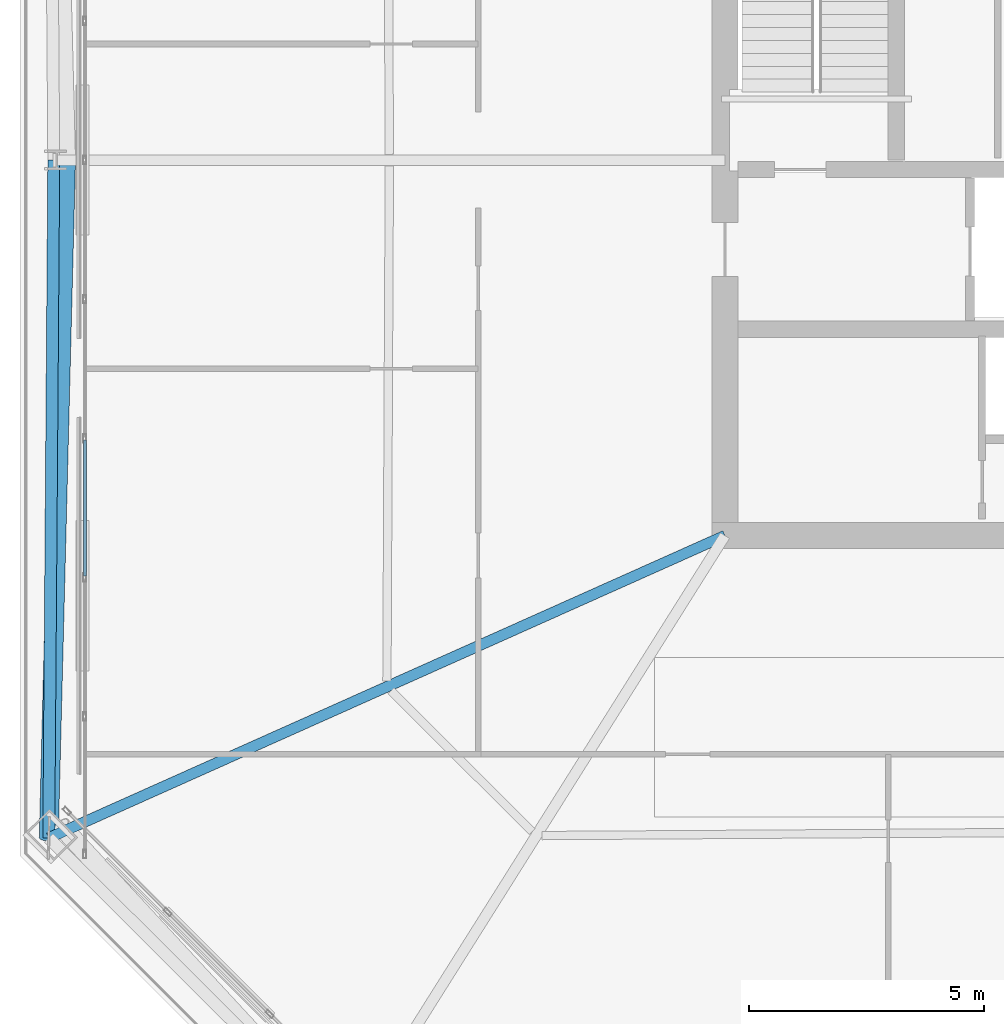
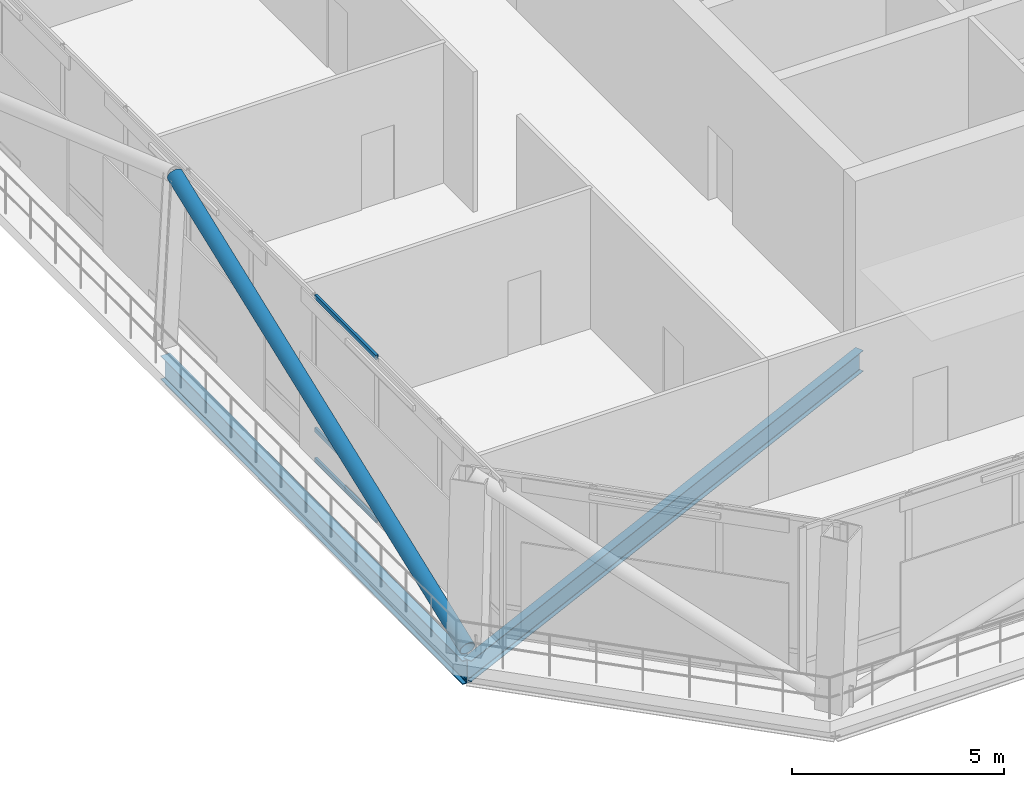
# One storey, part 6 of 34: 4 members, 2 beams, 1 element without a shape of its own.
"""IFC4 building model written with IfcOpenShell, lengths in metres."""

from ifc_helpers import new_model, si_unit, direction, frame, origin, origin_2d, place, context, subcontext, project, spatial, hollow_rectangle, hollow_circle, i_section, extrude, material, layer, layer_set, material_profile, profile_set, type_object, element, aggregate, save


model = new_model("IFC4")

# Units and contexts
model_context = context("Model", 3, precision=1e-05, world=origin(), true_north=direction((0.0, 1.0)))
body_context = subcontext(model_context, "Body", "Model", "MODEL_VIEW")
ifc_project = project(units=[si_unit("LENGTHUNIT", "METRE"), si_unit("AREAUNIT", "SQUARE_METRE"), si_unit("VOLUMEUNIT", "CUBIC_METRE"), si_unit("PLANEANGLEUNIT", "RADIAN"), si_unit("MASSUNIT", "GRAM", prefix="KILO")], contexts=[model_context])

# Site, building, storey
site_placement = place(None, origin())
site = spatial("IfcSite", under=ifc_project, at=site_placement, CompositionType="ELEMENT")
building_placement = place(site_placement, origin())
building = spatial("IfcBuilding", under=site, at=building_placement, Name="Caelvoria Tower", CompositionType="ELEMENT")
storey_placement = place(building_placement, frame((0.0, 0.0, 172.0)))
storey = spatial("IfcBuildingStorey", under=building, at=storey_placement, Name="L45", CompositionType="ELEMENT", Elevation=172.0)

# Curtain wall, members
ifc_material_1 = material(Name="Anodised Bronze Aluminium and Low-E Glass", Category="aluminium")
ifc_layer = layer(ifc_material_1, 0.2099609375, Name="Anodised Bronze Aluminium and Low-E Glass")
ifc_layer_set = layer_set([ifc_layer], Name="CW System 3 Sky Lobby Double-Height Acoustic Facade - Anodised Bronze Aluminium and Low-E Glass")
curtain_wall_type = type_object("IfcCurtainWallType", Name="CW System 3 Sky Lobby Double-Height Acoustic Facade", PredefinedType="NOTDEFINED", material=ifc_layer_set)
curtain_wall_placement = place(storey_placement, origin())
curtain_wall = element("IfcCurtainWall", 1, at=curtain_wall_placement, inside=storey, type_object=curtain_wall_type, Name="CW-03 Curtain Wall L45-E6", PredefinedType="NOTDEFINED")
ifc_material_2 = material(Name="Anodised Bronze Architectural Aluminium", Category="aluminium")
ifc_material_profile_1 = material_profile(ifc_material_2, hollow_rectangle(XDim=0.06494140625, YDim=0.1298828125, WallThickness=0.00341796875, at=origin_2d()), Name="Anodised Bronze Architectural Aluminium")
ifc_profile_set_1 = profile_set([ifc_material_profile_1], Name="CW_TRAN_65X130 - Anodised Bronze Architectural Aluminium")
member_type_1 = type_object("IfcMemberType", Name="Curtain Wall Transom 65x130 Bronze Aluminium", PredefinedType="USERDEFINED", material=ifc_profile_set_1)
member_1_placement = place(storey_placement, frame((23.360107421875, 26.037109375, 0.032470703125), z_axis=(0.0, -1.0, 0.0), x_axis=(1.0, 0.0, 0.0)))
member_1 = element("IfcMember", 2, at=member_1_placement, type_object=member_type_1, Name="CW-03 transom 8.1", ObjectType="TRANSOM", PredefinedType="USERDEFINED", context=body_context, shape_type="SweptSolid", body=[
    extrude(hollow_rectangle(XDim=0.06494140625, YDim=0.1298828125, WallThickness=0.00341796875, at=origin_2d()), origin(), (0.0, 0.0, 1.0), 2.89404296875),
])
member_2_placement = place(storey_placement, frame((23.360107421875, 26.037109375, 0.89990234375), z_axis=(0.0, -1.0, 0.0), x_axis=(1.0, 0.0, 0.0)))
member_2 = element("IfcMember", 3, at=member_2_placement, type_object=member_type_1, Name="CW-03 transom 8.2", ObjectType="TRANSOM", PredefinedType="USERDEFINED", context=body_context, shape_type="SweptSolid", body=[
    extrude(hollow_rectangle(XDim=0.06494140625, YDim=0.1298828125, WallThickness=0.00341796875, at=origin_2d()), origin(), (0.0, 0.0, 1.0), 2.89404296875),
])
member_3_placement = place(storey_placement, frame((23.360107421875, 26.037109375, 4.7275390625), z_axis=(0.0, -1.0, 0.0), x_axis=(1.0, 0.0, 0.0)))
member_3 = element("IfcMember", 4, at=member_3_placement, type_object=member_type_1, Name="CW-03 transom 8.3", ObjectType="TRANSOM", PredefinedType="USERDEFINED", context=body_context, shape_type="SweptSolid", body=[
    extrude(hollow_rectangle(XDim=0.06494140625, YDim=0.1298828125, WallThickness=0.00341796875, at=origin_2d()), origin(), (0.0, 0.0, 1.0), 2.89404296875),
])
aggregate(curtain_wall, [member_1, member_2, member_3])

# Beams
ifc_material_3 = material(Name="Structural Steel ASTM A992 Gr.50", Category="steel")
ifc_material_profile_2 = material_profile(ifc_material_3, i_section(OverallWidth=0.25390625, OverallDepth=0.68798828125, WebThickness=0.01318359375, FlangeThickness=0.02099609375, FilletRadius=0.01904296875, at=origin_2d()), Name="Structural Steel ASTM A992 Gr.50")
ifc_profile_set_2 = profile_set([ifc_material_profile_2], Name="W690X152 - Structural Steel ASTM A992 Gr.50")
beam_type_1 = type_object("IfcBeamType", Name="Perimeter Spandrel Girder W690X152", PredefinedType="BEAM", material=ifc_profile_set_2)
beam_1_placement = place(storey_placement, frame((22.699951171875, 32.0, -0.6640625), z_axis=(-0.007421102738, -0.999972463238, 0.0), x_axis=(0.999972463238, -0.007421102738, 0.0)))
element("IfcBeam", 5, at=beam_1_placement, inside=storey, type_object=beam_type_1, Name="Perimeter Spandrel Girder L45-10", PredefinedType="BEAM", context=body_context, shape_type="SweptSolid", body=[
    extrude(i_section(OverallWidth=0.25390625, OverallDepth=0.68798828125, WebThickness=0.01318359375, FlangeThickness=0.02099609375, FilletRadius=0.01904296875, at=origin_2d()), origin(), (0.0, 0.0, 1.0), 14.4423828125),
])
ifc_material_profile_3 = material_profile(ifc_material_3, i_section(OverallWidth=0.22802734375, OverallDepth=0.60302734375, WebThickness=0.010498046875, FlangeThickness=0.014892578125, FilletRadius=0.01806640625, at=origin_2d()), Name="Structural Steel ASTM A992 Gr.50")
ifc_profile_set_3 = profile_set([ifc_material_profile_3], Name="W610X101 - Structural Steel ASTM A992 Gr.50")
beam_type_2 = type_object("IfcBeamType", Name="Primary Floor Girder W610X101", PredefinedType="BEAM", material=ifc_profile_set_3)
beam_2_placement = place(storey_placement, frame((37.0, 24.0, -0.62158203125), z_axis=(-0.912899572599, -0.408184235792, 0.0), x_axis=(0.408184235792, -0.912899572599, 0.0)))
element("IfcBeam", 6, at=beam_2_placement, inside=storey, type_object=beam_type_2, Name="Primary Floor Girder L45-11", PredefinedType="BEAM", context=body_context, shape_type="SweptSolid", body=[
    extrude(i_section(OverallWidth=0.22802734375, OverallDepth=0.60302734375, WebThickness=0.010498046875, FlangeThickness=0.014892578125, FilletRadius=0.01806640625, at=origin_2d()), origin(), (0.0, 0.0, 1.0), 15.78173828125),
])

# Member
ifc_material_4 = material(Name="Structural Steel ASTM A572 Gr.50", Category="steel")
ifc_material_profile_4 = material_profile(ifc_material_4, hollow_circle(Radius=0.202880859375, WallThickness=0.01611328125, at=origin_2d()), Name="Structural Steel ASTM A572 Gr.50")
ifc_profile_set_4 = profile_set([ifc_material_profile_4], Name="CHS406X16 - Structural Steel ASTM A572 Gr.50")
member_type_2 = type_object("IfcMemberType", Name="Upper Perimeter Mega Brace CHS406X16", PredefinedType="BRACE", material=ifc_profile_set_4)
member_4_placement = place(storey_placement, frame((22.5927734375, 17.55810546875, 0.0), z_axis=(0.024140316771, 0.949465623838, 0.312941327179), x_axis=(-0.999676937205, 0.025416947519, 0.0)))
element("IfcMember", 7, at=member_4_placement, inside=storey, type_object=member_type_2, Name="Perimeter Cardinal Mega Brace L45 WB", PredefinedType="BRACE", context=body_context, shape_type="SweptSolid", body=[
    extrude(hollow_circle(Radius=0.202880859375, WallThickness=0.01611328125, at=origin_2d()), origin(), (0.0, 0.0, 1.0), 15.21044921875),
])

save(model, "model.ifc")
